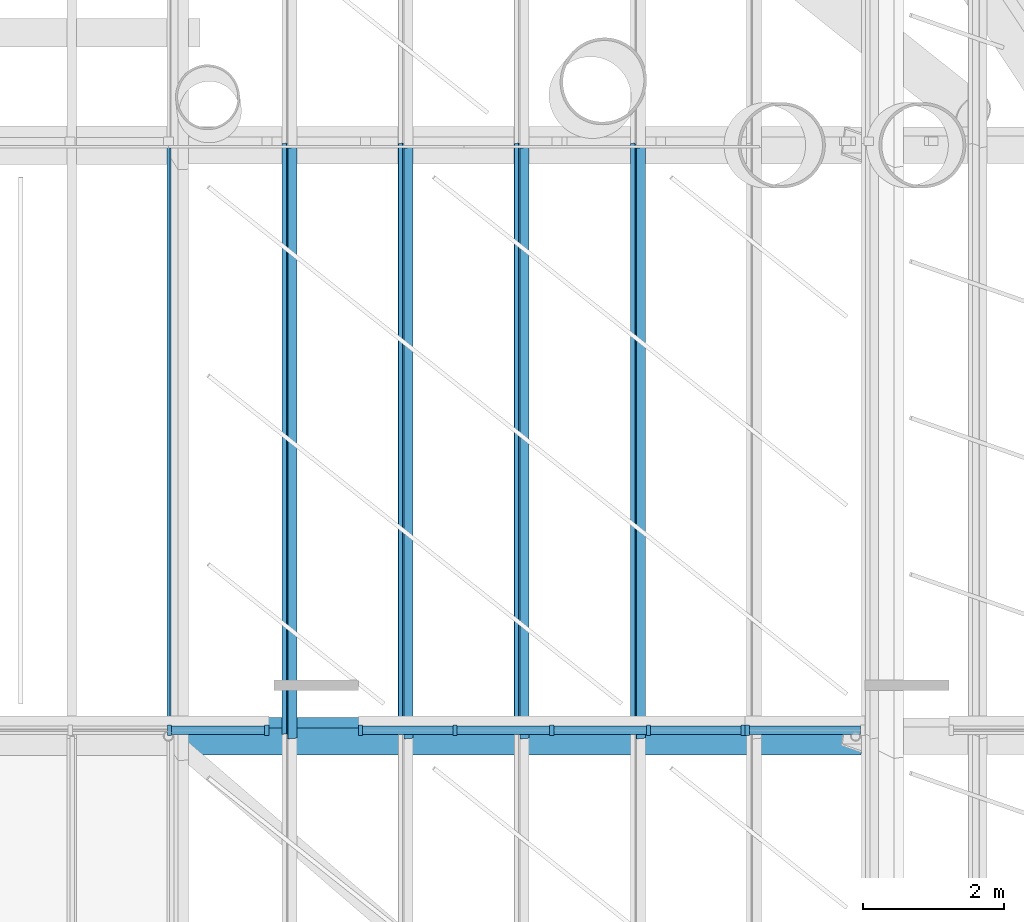
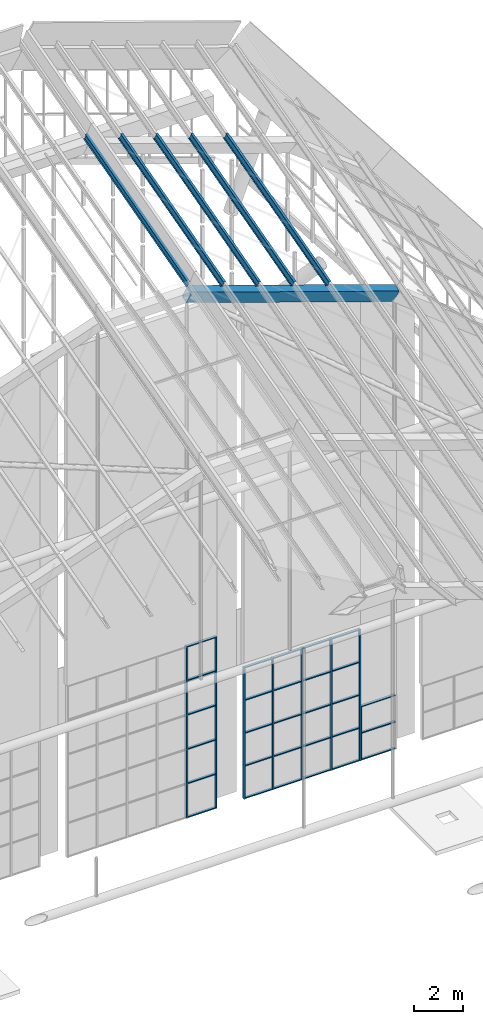
# One storey, part 64 of 126: 42 members, 1 beam, 3 elements without a shape of their own.
"""IFC4 building model written with IfcOpenShell, lengths in metres."""

from ifc_helpers import new_model, si_unit, direction, frame, origin, origin_2d, place, context, subcontext, project, spatial, polyline, rectangle, i_section, outline, extrude, material, material_profile, profile_set, type_object, element, aggregate, save


model = new_model("IFC4")

# Units and contexts
model_context = context("Model", 3, precision=1e-05, world=origin(), true_north=direction((0.0, 1.0)))
body_context = subcontext(model_context, "Body", "Model", "MODEL_VIEW")
ifc_project = project(units=[si_unit("LENGTHUNIT", "METRE"), si_unit("AREAUNIT", "SQUARE_METRE"), si_unit("VOLUMEUNIT", "CUBIC_METRE"), si_unit("PLANEANGLEUNIT", "RADIAN"), si_unit("MASSUNIT", "GRAM", prefix="KILO")], contexts=[model_context])

# Site, building, storey
site_placement = place(None, origin())
site = spatial("IfcSite", under=ifc_project, at=site_placement, CompositionType="ELEMENT")
building_placement = place(site_placement, origin())
building = spatial("IfcBuilding", under=site, at=building_placement, Name="Sava Quay Ferry Terminal", CompositionType="ELEMENT")
storey_placement = place(building_placement, frame((0.0, 0.0, 15.0)))
storey = spatial("IfcBuildingStorey", under=building, at=storey_placement, Name="L03", CompositionType="ELEMENT", Elevation=15.0)

# Beam
ifc_material_1 = material(Name="Steel S355", Category="steel")
ifc_material_profile_1 = material_profile(ifc_material_1, outline(polyline([(-0.199951171875, -0.300048828125), (0.199951171875, -0.300048828125), (0.199951171875, 0.300048828125), (-0.199951171875, 0.300048828125), (-0.199951171875, -0.300048828125)]), holes=[polyline([(-0.175048828125, -0.27490234375), (-0.175048828125, 0.27490234375), (0.175048828125, 0.27490234375), (0.175048828125, -0.27490234375), (-0.175048828125, -0.27490234375)])]), Name="Box 600x400x25 built-up")
ifc_profile_set_1 = profile_set([ifc_material_profile_1], Name="Steel S355")
beam_type = type_object("IfcBeamType", Name="D folded rib Box 600x400x25", PredefinedType="BEAM", material=ifc_profile_set_1)
beam_placement = place(storey_placement, frame((65.10009765625, 100.800048828125, 26.122314453125), z_axis=(0.945513501922, 0.0, -0.325582889112), x_axis=(0.081534005611, 0.968136073541, 0.236779959111)))
element("IfcBeam", 1, at=beam_placement, inside=storey, type_object=beam_type, Name="Departure hall folded rib R6 seg 4", PredefinedType="BEAM", context=body_context, shape_type="SweptSolid", body=[
    extrude(outline(polyline([(-0.199951171875, -0.300048828125), (0.199951171875, -0.300048828125), (0.199951171875, 0.300048828125), (-0.199951171875, 0.300048828125), (-0.199951171875, -0.300048828125)]), holes=[polyline([(-0.175048828125, -0.27490234375), (-0.175048828125, 0.27490234375), (0.175048828125, 0.27490234375), (0.175048828125, -0.27490234375), (-0.175048828125, -0.27490234375)])]), origin(), (0.0, 0.0, 1.0), 10.3330078125),
])

# Curtain wall, members
ifc_material_2 = material(Name="Aluminium and glass curtain wall, double low-e glazed", Category="aluminium")
curtain_wall_type = type_object("IfcCurtainWallType", Name="Curtain wall CW-G gable", PredefinedType="NOTDEFINED", material=ifc_material_2)
curtain_wall_1_placement = place(storey_placement, origin())
curtain_wall_1 = element("IfcCurtainWall", 2, at=curtain_wall_1_placement, inside=storey, type_object=curtain_wall_type, Name="Curtain wall D-N L03 bay 31", PredefinedType="NOTDEFINED")
ifc_material_3 = material(Name="Aluminium EN AW-6063 T6", Category="aluminium")
ifc_material_profile_2 = material_profile(ifc_material_3, rectangle(XDim=0.14990234375, YDim=0.06005859375, at=origin_2d()), Name="Mullion 60x150 aluminium")
ifc_profile_set_2 = profile_set([ifc_material_profile_2], Name="Aluminium EN AW-6063 T6")
member_type_1 = type_object("IfcMemberType", Name="Mullion 60x150 aluminium", PredefinedType="MULLION", material=ifc_profile_set_2)
member_1_placement = place(storey_placement, frame((65.117919921875, 100.885009765625, 0.0), z_axis=(0.0, 0.0, 1.0), x_axis=(0.0, 1.0, 0.0)))
member_1 = element("IfcMember", 3, at=member_1_placement, type_object=member_type_1, Name="CW72 mullion 5", PredefinedType="MULLION", context=body_context, shape_type="SweptSolid", body=[
    extrude(rectangle(XDim=0.14990234375, YDim=0.06005859375, at=origin_2d()), origin(), (0.0, 0.0, 1.0), 8.550048828125),
])
member_2_placement = place(storey_placement, frame((66.5, 100.885009765625, 0.0), z_axis=(0.0, 0.0, 1.0), x_axis=(0.0, 1.0, 0.0)))
member_2 = element("IfcMember", 4, at=member_2_placement, type_object=member_type_1, Name="CW72 mullion 6", PredefinedType="MULLION", context=body_context, shape_type="SweptSolid", body=[
    extrude(rectangle(XDim=0.14990234375, YDim=0.06005859375, at=origin_2d()), origin(), (0.0, 0.0, 1.0), 8.550048828125),
])

curtain_wall_2_placement = place(storey_placement, origin())
curtain_wall_2 = element("IfcCurtainWall", 5, at=curtain_wall_2_placement, inside=storey, type_object=curtain_wall_type, Name="Curtain wall D-N L03 bay 41", PredefinedType="NOTDEFINED")
member_3_placement = place(storey_placement, frame((67.830078125, 100.885009765625, 0.0), z_axis=(0.0, 0.0, 1.0), x_axis=(0.0, 1.0, 0.0)))
member_3 = element("IfcMember", 6, at=member_3_placement, type_object=member_type_1, Name="CW76 mullion 1", PredefinedType="MULLION", context=body_context, shape_type="SweptSolid", body=[
    extrude(rectangle(XDim=0.14990234375, YDim=0.06005859375, at=origin_2d()), origin(), (0.0, 0.0, 1.0), 6.550048828125),
])
member_4_placement = place(storey_placement, frame((69.175048828125, 100.885009765625, 0.0), z_axis=(0.0, 0.0, 1.0), x_axis=(0.0, 1.0, 0.0)))
member_4 = element("IfcMember", 7, at=member_4_placement, type_object=member_type_1, Name="CW76 mullion 2", PredefinedType="MULLION", context=body_context, shape_type="SweptSolid", body=[
    extrude(rectangle(XDim=0.14990234375, YDim=0.06005859375, at=origin_2d()), origin(), (0.0, 0.0, 1.0), 6.550048828125),
])
member_5_placement = place(storey_placement, frame((70.550048828125, 100.885009765625, 0.0), z_axis=(0.0, 0.0, 1.0), x_axis=(0.0, 1.0, 0.0)))
member_5 = element("IfcMember", 8, at=member_5_placement, type_object=member_type_1, Name="CW76 mullion 3", PredefinedType="MULLION", context=body_context, shape_type="SweptSolid", body=[
    extrude(rectangle(XDim=0.14990234375, YDim=0.06005859375, at=origin_2d()), origin(), (0.0, 0.0, 1.0), 6.550048828125),
])
member_6_placement = place(storey_placement, frame((71.925048828125, 100.885009765625, 0.0), z_axis=(0.0, 0.0, 1.0), x_axis=(0.0, 1.0, 0.0)))
member_6 = element("IfcMember", 9, at=member_6_placement, type_object=member_type_1, Name="CW76 mullion 4", PredefinedType="MULLION", context=body_context, shape_type="SweptSolid", body=[
    extrude(rectangle(XDim=0.14990234375, YDim=0.06005859375, at=origin_2d()), origin(), (0.0, 0.0, 1.0), 6.550048828125),
])
member_7_placement = place(storey_placement, frame((73.27001953125, 100.885009765625, 0.0), z_axis=(0.0, 0.0, 1.0), x_axis=(0.0, 1.0, 0.0)))
member_7 = element("IfcMember", 10, at=member_7_placement, type_object=member_type_1, Name="CW76 mullion 5", PredefinedType="MULLION", context=body_context, shape_type="SweptSolid", body=[
    extrude(rectangle(XDim=0.14990234375, YDim=0.06005859375, at=origin_2d()), origin(), (0.0, 0.0, 1.0), 6.550048828125),
])

# Curtain wall, member
curtain_wall_3_placement = place(storey_placement, origin())
curtain_wall_3 = element("IfcCurtainWall", 11, at=curtain_wall_3_placement, inside=storey, type_object=curtain_wall_type, Name="Curtain wall D-N L03 bay 51", PredefinedType="NOTDEFINED")
member_8_placement = place(storey_placement, frame((73.330078125, 100.885009765625, 0.0), z_axis=(0.0, 0.0, 1.0), x_axis=(0.0, 1.0, 0.0)))
member_8 = element("IfcMember", 12, at=member_8_placement, type_object=member_type_1, Name="CW80 mullion 1", PredefinedType="MULLION", context=body_context, shape_type="SweptSolid", body=[
    extrude(rectangle(XDim=0.14990234375, YDim=0.06005859375, at=origin_2d()), origin(), (0.0, 0.0, 1.0), 2.699951171875),
])

# Members
ifc_material_4 = material(Name="Steel S355", Category="steel")
ifc_material_profile_3 = material_profile(ifc_material_4, i_section(OverallWidth=0.135009765625, OverallDepth=0.27001953125, WebThickness=0.006591796875, FlangeThickness=0.01025390625, at=origin_2d()), Name="IPE 270")
ifc_profile_set_3 = profile_set([ifc_material_profile_3], Name="Steel S355")
member_type_2 = type_object("IfcMemberType", Name="Roof purlin IPE 270", PredefinedType="PURLIN", material=ifc_profile_set_3)
for number, where, z_axis, x_axis, name in (
    (13, (65.17041015625, 100.800048828125, 26.5732421875), (0.0, 0.964560390264, 0.263862186629), (-0.987174546341, -0.042124187079, 0.153986908271), "Departure hall purlin bay 7 V3"),
    (14, (66.821044921875, 100.800048828125, 26.0048828125), (0.0, 0.964560390264, 0.263862186629), (-0.949027169883, -0.083167850544, 0.304023912646), "Departure hall purlin bay 7 M3.1"),
    (15, (68.471923828125, 100.800048828125, 25.4365234375), (0.0, 0.964560390264, 0.263862186629), (-0.949027169883, -0.083167850544, 0.304023912646), "Departure hall purlin bay 7 M3.2"),
    (16, (70.12255859375, 100.800048828125, 24.867919921875), (0.0, 0.964553254836, 0.263888269132), (-0.949027169883, -0.0831760716, 0.3040216636), "Departure hall purlin bay 7 M3.3"),
    (17, (71.7734375, 100.800048828125, 24.299560546875), (0.0, 0.964553254836, 0.263888269132), (-0.949027169883, -0.0831760716, 0.3040216636), "Departure hall purlin bay 7 M3.4"),
):
    element("IfcMember", number, at=place(storey_placement, frame(where, z_axis=z_axis, x_axis=x_axis)), inside=storey, type_object=member_type_2, Name=name, PredefinedType="PURLIN", context=body_context, shape_type="SweptSolid", body=[
        extrude(i_section(OverallWidth=0.135009765625, OverallDepth=0.27001953125, WebThickness=0.006591796875, FlangeThickness=0.01025390625, at=origin_2d()), origin(), (0.0, 0.0, 1.0), 8.70849609375),
    ])

# Member
ifc_material_5 = material(Name="Aluminium EN AW-6063 T6", Category="aluminium")
ifc_material_profile_4 = material_profile(ifc_material_5, rectangle(XDim=0.1201171875, YDim=0.050048828125, at=origin_2d()), Name="Transom 50x120 aluminium")
ifc_profile_set_4 = profile_set([ifc_material_profile_4], Name="Aluminium EN AW-6063 T6")
member_type_3 = type_object("IfcMemberType", Name="Transom 50x120 aluminium", PredefinedType="USERDEFINED", material=ifc_profile_set_4)
member_9_placement = place(storey_placement, frame((65.14794921875, 100.885009765625, 0.02490234375), z_axis=(1.0, 0.0, 0.0), x_axis=(0.0, 1.0, 0.0)))
member_9 = element("IfcMember", 18, at=member_9_placement, type_object=member_type_3, Name="CW72 transom 5.1", ObjectType="TRANSOM", PredefinedType="USERDEFINED", context=body_context, shape_type="SweptSolid", body=[
    extrude(rectangle(XDim=0.1201171875, YDim=0.050048828125, at=origin_2d()), origin(), (0.0, 0.0, 1.0), 1.322021484375),
])

member_10_placement = place(storey_placement, frame((65.14794921875, 100.885009765625, 1.7099609375), z_axis=(1.0, 0.0, 0.0), x_axis=(0.0, 1.0, 0.0)))
member_10 = element("IfcMember", 19, at=member_10_placement, type_object=member_type_3, Name="CW72 transom 5.2", ObjectType="TRANSOM", PredefinedType="USERDEFINED", context=body_context, shape_type="SweptSolid", body=[
    extrude(rectangle(XDim=0.1201171875, YDim=0.050048828125, at=origin_2d()), origin(), (0.0, 0.0, 1.0), 1.322021484375),
])

member_11_placement = place(storey_placement, frame((65.14794921875, 100.885009765625, 3.419921875), z_axis=(1.0, 0.0, 0.0), x_axis=(0.0, 1.0, 0.0)))
member_11 = element("IfcMember", 20, at=member_11_placement, type_object=member_type_3, Name="CW72 transom 5.3", ObjectType="TRANSOM", PredefinedType="USERDEFINED", context=body_context, shape_type="SweptSolid", body=[
    extrude(rectangle(XDim=0.1201171875, YDim=0.050048828125, at=origin_2d()), origin(), (0.0, 0.0, 1.0), 1.322021484375),
])

member_12_placement = place(storey_placement, frame((65.14794921875, 100.885009765625, 5.1298828125), z_axis=(1.0, 0.0, 0.0), x_axis=(0.0, 1.0, 0.0)))
member_12 = element("IfcMember", 21, at=member_12_placement, type_object=member_type_3, Name="CW72 transom 5.4", ObjectType="TRANSOM", PredefinedType="USERDEFINED", context=body_context, shape_type="SweptSolid", body=[
    extrude(rectangle(XDim=0.1201171875, YDim=0.050048828125, at=origin_2d()), origin(), (0.0, 0.0, 1.0), 1.322021484375),
])

member_13_placement = place(storey_placement, frame((65.14794921875, 100.885009765625, 6.840087890625), z_axis=(1.0, 0.0, 0.0), x_axis=(0.0, 1.0, 0.0)))
member_13 = element("IfcMember", 22, at=member_13_placement, type_object=member_type_3, Name="CW72 transom 5.5", ObjectType="TRANSOM", PredefinedType="USERDEFINED", context=body_context, shape_type="SweptSolid", body=[
    extrude(rectangle(XDim=0.1201171875, YDim=0.050048828125, at=origin_2d()), origin(), (0.0, 0.0, 1.0), 1.322021484375),
])

member_14_placement = place(storey_placement, frame((65.14794921875, 100.885009765625, 8.52490234375), z_axis=(1.0, 0.0, 0.0), x_axis=(0.0, 1.0, 0.0)))
member_14 = element("IfcMember", 23, at=member_14_placement, type_object=member_type_3, Name="CW72 transom 5.6", ObjectType="TRANSOM", PredefinedType="USERDEFINED", context=body_context, shape_type="SweptSolid", body=[
    extrude(rectangle(XDim=0.1201171875, YDim=0.050048828125, at=origin_2d()), origin(), (0.0, 0.0, 1.0), 1.322021484375),
])

aggregate(curtain_wall_1, [member_1, member_2, member_9, member_10, member_11, member_12, member_13, member_14])

member_15_placement = place(storey_placement, frame((67.860107421875, 100.885009765625, 0.02490234375), z_axis=(1.0, 0.0, 0.0), x_axis=(0.0, 1.0, 0.0)))
member_15 = element("IfcMember", 24, at=member_15_placement, type_object=member_type_3, Name="CW76 transom 1.1", ObjectType="TRANSOM", PredefinedType="USERDEFINED", context=body_context, shape_type="SweptSolid", body=[
    extrude(rectangle(XDim=0.1201171875, YDim=0.050048828125, at=origin_2d()), origin(), (0.0, 0.0, 1.0), 1.284912109375),
])

member_16_placement = place(storey_placement, frame((67.860107421875, 100.885009765625, 1.637451171875), z_axis=(1.0, 0.0, 0.0), x_axis=(0.0, 1.0, 0.0)))
member_16 = element("IfcMember", 25, at=member_16_placement, type_object=member_type_3, Name="CW76 transom 1.2", ObjectType="TRANSOM", PredefinedType="USERDEFINED", context=body_context, shape_type="SweptSolid", body=[
    extrude(rectangle(XDim=0.1201171875, YDim=0.050048828125, at=origin_2d()), origin(), (0.0, 0.0, 1.0), 1.284912109375),
])

member_17_placement = place(storey_placement, frame((67.860107421875, 100.885009765625, 3.27490234375), z_axis=(1.0, 0.0, 0.0), x_axis=(0.0, 1.0, 0.0)))
member_17 = element("IfcMember", 26, at=member_17_placement, type_object=member_type_3, Name="CW76 transom 1.3", ObjectType="TRANSOM", PredefinedType="USERDEFINED", context=body_context, shape_type="SweptSolid", body=[
    extrude(rectangle(XDim=0.1201171875, YDim=0.050048828125, at=origin_2d()), origin(), (0.0, 0.0, 1.0), 1.284912109375),
])

member_18_placement = place(storey_placement, frame((67.860107421875, 100.885009765625, 4.91259765625), z_axis=(1.0, 0.0, 0.0), x_axis=(0.0, 1.0, 0.0)))
member_18 = element("IfcMember", 27, at=member_18_placement, type_object=member_type_3, Name="CW76 transom 1.4", ObjectType="TRANSOM", PredefinedType="USERDEFINED", context=body_context, shape_type="SweptSolid", body=[
    extrude(rectangle(XDim=0.1201171875, YDim=0.050048828125, at=origin_2d()), origin(), (0.0, 0.0, 1.0), 1.284912109375),
])

member_19_placement = place(storey_placement, frame((67.860107421875, 100.885009765625, 6.52490234375), z_axis=(1.0, 0.0, 0.0), x_axis=(0.0, 1.0, 0.0)))
member_19 = element("IfcMember", 28, at=member_19_placement, type_object=member_type_3, Name="CW76 transom 1.5", ObjectType="TRANSOM", PredefinedType="USERDEFINED", context=body_context, shape_type="SweptSolid", body=[
    extrude(rectangle(XDim=0.1201171875, YDim=0.050048828125, at=origin_2d()), origin(), (0.0, 0.0, 1.0), 1.284912109375),
])

member_20_placement = place(storey_placement, frame((69.205078125, 100.885009765625, 0.02490234375), z_axis=(1.0, 0.0, 0.0), x_axis=(0.0, 1.0, 0.0)))
member_20 = element("IfcMember", 29, at=member_20_placement, type_object=member_type_3, Name="CW76 transom 2.1", ObjectType="TRANSOM", PredefinedType="USERDEFINED", context=body_context, shape_type="SweptSolid", body=[
    extrude(rectangle(XDim=0.1201171875, YDim=0.050048828125, at=origin_2d()), origin(), (0.0, 0.0, 1.0), 1.31494140625),
])

member_21_placement = place(storey_placement, frame((69.205078125, 100.885009765625, 1.637451171875), z_axis=(1.0, 0.0, 0.0), x_axis=(0.0, 1.0, 0.0)))
member_21 = element("IfcMember", 30, at=member_21_placement, type_object=member_type_3, Name="CW76 transom 2.2", ObjectType="TRANSOM", PredefinedType="USERDEFINED", context=body_context, shape_type="SweptSolid", body=[
    extrude(rectangle(XDim=0.1201171875, YDim=0.050048828125, at=origin_2d()), origin(), (0.0, 0.0, 1.0), 1.31494140625),
])

member_22_placement = place(storey_placement, frame((69.205078125, 100.885009765625, 3.27490234375), z_axis=(1.0, 0.0, 0.0), x_axis=(0.0, 1.0, 0.0)))
member_22 = element("IfcMember", 31, at=member_22_placement, type_object=member_type_3, Name="CW76 transom 2.3", ObjectType="TRANSOM", PredefinedType="USERDEFINED", context=body_context, shape_type="SweptSolid", body=[
    extrude(rectangle(XDim=0.1201171875, YDim=0.050048828125, at=origin_2d()), origin(), (0.0, 0.0, 1.0), 1.31494140625),
])

member_23_placement = place(storey_placement, frame((69.205078125, 100.885009765625, 4.91259765625), z_axis=(1.0, 0.0, 0.0), x_axis=(0.0, 1.0, 0.0)))
member_23 = element("IfcMember", 32, at=member_23_placement, type_object=member_type_3, Name="CW76 transom 2.4", ObjectType="TRANSOM", PredefinedType="USERDEFINED", context=body_context, shape_type="SweptSolid", body=[
    extrude(rectangle(XDim=0.1201171875, YDim=0.050048828125, at=origin_2d()), origin(), (0.0, 0.0, 1.0), 1.31494140625),
])

member_24_placement = place(storey_placement, frame((69.205078125, 100.885009765625, 6.52490234375), z_axis=(1.0, 0.0, 0.0), x_axis=(0.0, 1.0, 0.0)))
member_24 = element("IfcMember", 33, at=member_24_placement, type_object=member_type_3, Name="CW76 transom 2.5", ObjectType="TRANSOM", PredefinedType="USERDEFINED", context=body_context, shape_type="SweptSolid", body=[
    extrude(rectangle(XDim=0.1201171875, YDim=0.050048828125, at=origin_2d()), origin(), (0.0, 0.0, 1.0), 1.31494140625),
])

member_25_placement = place(storey_placement, frame((70.580078125, 100.885009765625, 0.02490234375), z_axis=(1.0, 0.0, 0.0), x_axis=(0.0, 1.0, 0.0)))
member_25 = element("IfcMember", 34, at=member_25_placement, type_object=member_type_3, Name="CW76 transom 3.1", ObjectType="TRANSOM", PredefinedType="USERDEFINED", context=body_context, shape_type="SweptSolid", body=[
    extrude(rectangle(XDim=0.1201171875, YDim=0.050048828125, at=origin_2d()), origin(), (0.0, 0.0, 1.0), 1.31494140625),
])

member_26_placement = place(storey_placement, frame((70.580078125, 100.885009765625, 1.637451171875), z_axis=(1.0, 0.0, 0.0), x_axis=(0.0, 1.0, 0.0)))
member_26 = element("IfcMember", 35, at=member_26_placement, type_object=member_type_3, Name="CW76 transom 3.2", ObjectType="TRANSOM", PredefinedType="USERDEFINED", context=body_context, shape_type="SweptSolid", body=[
    extrude(rectangle(XDim=0.1201171875, YDim=0.050048828125, at=origin_2d()), origin(), (0.0, 0.0, 1.0), 1.31494140625),
])

member_27_placement = place(storey_placement, frame((70.580078125, 100.885009765625, 3.27490234375), z_axis=(1.0, 0.0, 0.0), x_axis=(0.0, 1.0, 0.0)))
member_27 = element("IfcMember", 36, at=member_27_placement, type_object=member_type_3, Name="CW76 transom 3.3", ObjectType="TRANSOM", PredefinedType="USERDEFINED", context=body_context, shape_type="SweptSolid", body=[
    extrude(rectangle(XDim=0.1201171875, YDim=0.050048828125, at=origin_2d()), origin(), (0.0, 0.0, 1.0), 1.31494140625),
])

member_28_placement = place(storey_placement, frame((70.580078125, 100.885009765625, 4.91259765625), z_axis=(1.0, 0.0, 0.0), x_axis=(0.0, 1.0, 0.0)))
member_28 = element("IfcMember", 37, at=member_28_placement, type_object=member_type_3, Name="CW76 transom 3.4", ObjectType="TRANSOM", PredefinedType="USERDEFINED", context=body_context, shape_type="SweptSolid", body=[
    extrude(rectangle(XDim=0.1201171875, YDim=0.050048828125, at=origin_2d()), origin(), (0.0, 0.0, 1.0), 1.31494140625),
])

member_29_placement = place(storey_placement, frame((70.580078125, 100.885009765625, 6.52490234375), z_axis=(1.0, 0.0, 0.0), x_axis=(0.0, 1.0, 0.0)))
member_29 = element("IfcMember", 38, at=member_29_placement, type_object=member_type_3, Name="CW76 transom 3.5", ObjectType="TRANSOM", PredefinedType="USERDEFINED", context=body_context, shape_type="SweptSolid", body=[
    extrude(rectangle(XDim=0.1201171875, YDim=0.050048828125, at=origin_2d()), origin(), (0.0, 0.0, 1.0), 1.31494140625),
])

member_30_placement = place(storey_placement, frame((71.955078125, 100.885009765625, 0.02490234375), z_axis=(1.0, 0.0, 0.0), x_axis=(0.0, 1.0, 0.0)))
member_30 = element("IfcMember", 39, at=member_30_placement, type_object=member_type_3, Name="CW76 transom 4.1", ObjectType="TRANSOM", PredefinedType="USERDEFINED", context=body_context, shape_type="SweptSolid", body=[
    extrude(rectangle(XDim=0.1201171875, YDim=0.050048828125, at=origin_2d()), origin(), (0.0, 0.0, 1.0), 1.284912109375),
])

member_31_placement = place(storey_placement, frame((71.955078125, 100.885009765625, 1.637451171875), z_axis=(1.0, 0.0, 0.0), x_axis=(0.0, 1.0, 0.0)))
member_31 = element("IfcMember", 40, at=member_31_placement, type_object=member_type_3, Name="CW76 transom 4.2", ObjectType="TRANSOM", PredefinedType="USERDEFINED", context=body_context, shape_type="SweptSolid", body=[
    extrude(rectangle(XDim=0.1201171875, YDim=0.050048828125, at=origin_2d()), origin(), (0.0, 0.0, 1.0), 1.284912109375),
])

member_32_placement = place(storey_placement, frame((71.955078125, 100.885009765625, 3.27490234375), z_axis=(1.0, 0.0, 0.0), x_axis=(0.0, 1.0, 0.0)))
member_32 = element("IfcMember", 41, at=member_32_placement, type_object=member_type_3, Name="CW76 transom 4.3", ObjectType="TRANSOM", PredefinedType="USERDEFINED", context=body_context, shape_type="SweptSolid", body=[
    extrude(rectangle(XDim=0.1201171875, YDim=0.050048828125, at=origin_2d()), origin(), (0.0, 0.0, 1.0), 1.284912109375),
])

member_33_placement = place(storey_placement, frame((71.955078125, 100.885009765625, 4.91259765625), z_axis=(1.0, 0.0, 0.0), x_axis=(0.0, 1.0, 0.0)))
member_33 = element("IfcMember", 42, at=member_33_placement, type_object=member_type_3, Name="CW76 transom 4.4", ObjectType="TRANSOM", PredefinedType="USERDEFINED", context=body_context, shape_type="SweptSolid", body=[
    extrude(rectangle(XDim=0.1201171875, YDim=0.050048828125, at=origin_2d()), origin(), (0.0, 0.0, 1.0), 1.284912109375),
])

member_34_placement = place(storey_placement, frame((71.955078125, 100.885009765625, 6.52490234375), z_axis=(1.0, 0.0, 0.0), x_axis=(0.0, 1.0, 0.0)))
member_34 = element("IfcMember", 43, at=member_34_placement, type_object=member_type_3, Name="CW76 transom 4.5", ObjectType="TRANSOM", PredefinedType="USERDEFINED", context=body_context, shape_type="SweptSolid", body=[
    extrude(rectangle(XDim=0.1201171875, YDim=0.050048828125, at=origin_2d()), origin(), (0.0, 0.0, 1.0), 1.284912109375),
])

aggregate(curtain_wall_2, [member_3, member_4, member_5, member_6, member_7, member_15, member_16, member_17, member_18, member_19, member_20, member_21, member_22, member_23, member_24, member_25, member_26, member_27, member_28, member_29, member_30, member_31, member_32, member_33, member_34])

member_35_placement = place(storey_placement, frame((73.360107421875, 100.885009765625, 0.02490234375), z_axis=(1.0, 0.0, 0.0), x_axis=(0.0, 1.0, 0.0)))
member_35 = element("IfcMember", 44, at=member_35_placement, type_object=member_type_3, Name="CW80 transom 1.1", ObjectType="TRANSOM", PredefinedType="USERDEFINED", context=body_context, shape_type="SweptSolid", body=[
    extrude(rectangle(XDim=0.1201171875, YDim=0.050048828125, at=origin_2d()), origin(), (0.0, 0.0, 1.0), 1.579833984375),
])

member_36_placement = place(storey_placement, frame((73.360107421875, 100.885009765625, 1.35009765625), z_axis=(1.0, 0.0, 0.0), x_axis=(0.0, 1.0, 0.0)))
member_36 = element("IfcMember", 45, at=member_36_placement, type_object=member_type_3, Name="CW80 transom 1.2", ObjectType="TRANSOM", PredefinedType="USERDEFINED", context=body_context, shape_type="SweptSolid", body=[
    extrude(rectangle(XDim=0.1201171875, YDim=0.050048828125, at=origin_2d()), origin(), (0.0, 0.0, 1.0), 1.579833984375),
])

member_37_placement = place(storey_placement, frame((73.360107421875, 100.885009765625, 2.675048828125), z_axis=(1.0, 0.0, 0.0), x_axis=(0.0, 1.0, 0.0)))
member_37 = element("IfcMember", 46, at=member_37_placement, type_object=member_type_3, Name="CW80 transom 1.3", ObjectType="TRANSOM", PredefinedType="USERDEFINED", context=body_context, shape_type="SweptSolid", body=[
    extrude(rectangle(XDim=0.1201171875, YDim=0.050048828125, at=origin_2d()), origin(), (0.0, 0.0, 1.0), 1.579833984375),
])

aggregate(curtain_wall_3, [member_8, member_35, member_36, member_37])

save(model, "model.ifc")
